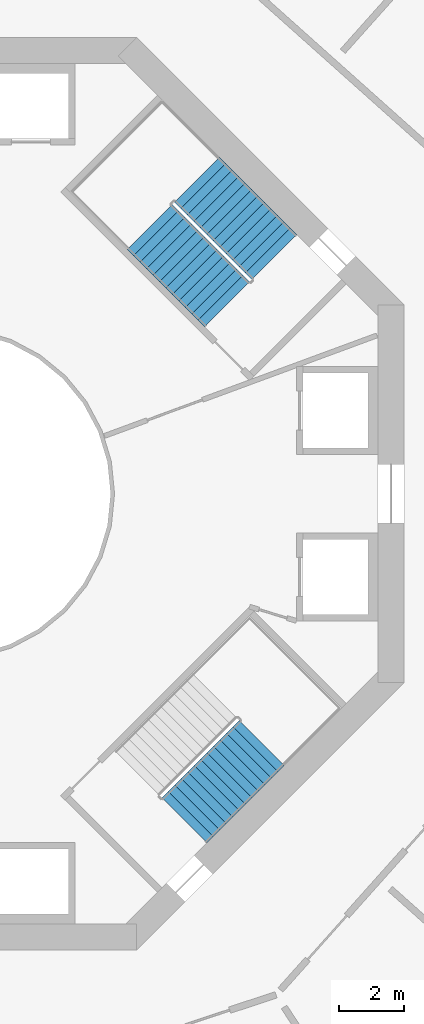
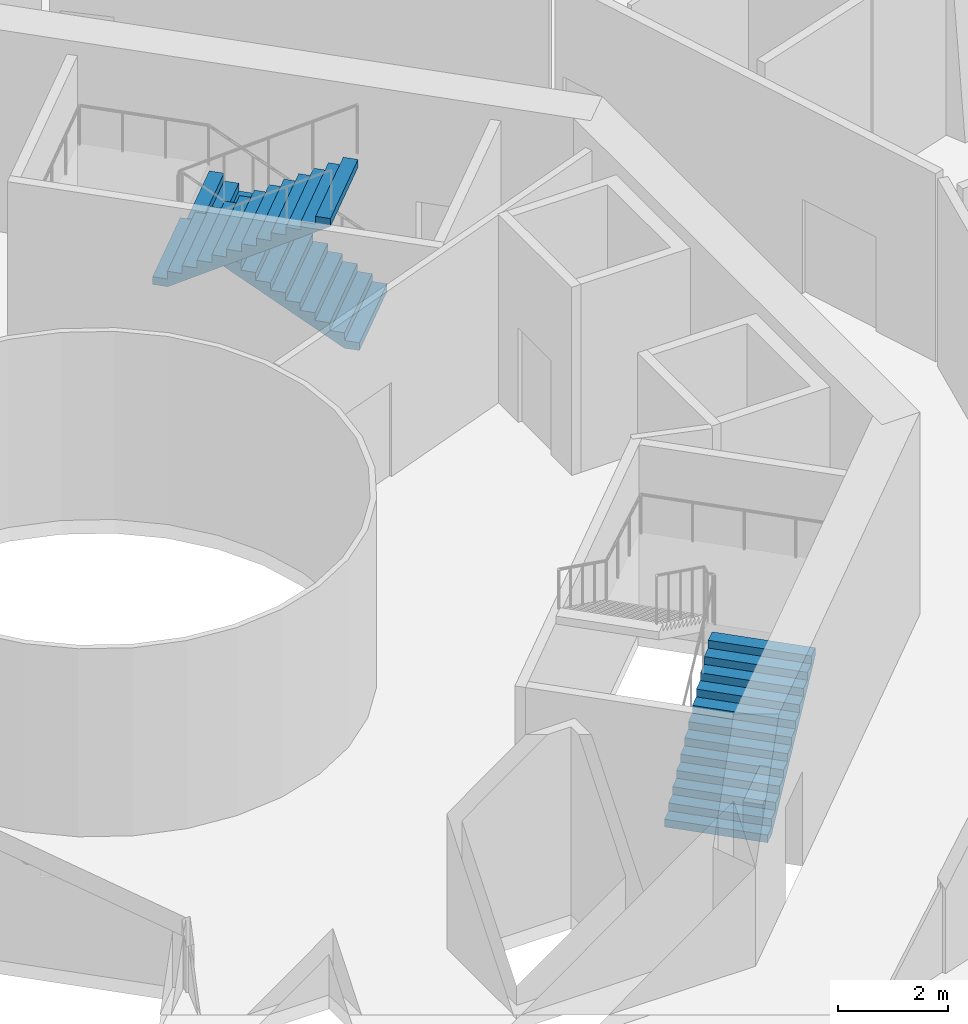
# One storey, part 20 of 21: 3 stair flights, 2 elements without a shape of their own.
"""IFC4 building model written with IfcOpenShell, lengths in metres."""

from ifc_helpers import new_model, si_unit, direction, frame, origin, place, context, subcontext, project, spatial, triangles, material, type_object, element, aggregate, save


model = new_model("IFC4")

# Units and contexts
model_context = context("Model", 3, precision=1e-05, world=origin(), true_north=direction((0.0, 1.0)))
body_context = subcontext(model_context, "Body", "Model", "MODEL_VIEW")
ifc_project = project(units=[si_unit("LENGTHUNIT", "METRE"), si_unit("AREAUNIT", "SQUARE_METRE"), si_unit("VOLUMEUNIT", "CUBIC_METRE"), si_unit("PLANEANGLEUNIT", "RADIAN"), si_unit("MASSUNIT", "GRAM", prefix="KILO")], contexts=[model_context])

# Site, building, storey
site_placement = place(None, origin())
site = spatial("IfcSite", under=ifc_project, at=site_placement, CompositionType="ELEMENT")
building_placement = place(site_placement, origin())
building = spatial("IfcBuilding", under=site, at=building_placement, Name="Verdalira Terraces Hotel", CompositionType="ELEMENT")
storey_placement = place(building_placement, frame((0.0, 0.0, 107.0)))
storey = spatial("IfcBuildingStorey", under=building, at=storey_placement, Name="L25", CompositionType="ELEMENT", Elevation=107.0)

# Stair, stair flights
ifc_material_1 = material(Name="Concrete C40", Category="concrete")
stair_type = type_object("IfcStairType", Name="Core stair 26 risers 1950 mm wide", PredefinedType="HALF_TURN_STAIR", material=ifc_material_1)
stair_1_placement = place(storey_placement, origin())
stair_1 = element("IfcStair", 1, at=stair_1_placement, inside=storey, type_object=stair_type, Name="L25 Exit stair ST1", PredefinedType="HALF_TURN_STAIR")
ifc_material_2 = material(Name="Concrete C40", Category="concrete")
stair_flight_type = type_object("IfcStairFlightType", Name="Core stair flight 26 risers 1950 mm wide", PredefinedType="STRAIGHT", material=ifc_material_2)
stair_flight_1_placement = place(storey_placement, frame((10.023193, 7.265625, 0.0), z_axis=(0.0, 0.0, 1.0), x_axis=(-0.707106781, 0.707106781, 0.0)))
stair_flight_1 = element("IfcStairFlight", 2, at=stair_flight_1_placement, type_object=stair_flight_type, Name="ST1 flight 1", NumberOfRisers=13, NumberOfTreads=12, PredefinedType="STRAIGHT", RiserHeight=0.173076923, TreadLength=0.28, context=body_context, shape_type="Tessellation", body=[
    triangles([(0.0, 0.974976, 0.0), (0.285156, 0.974976, 0.0), (3.360107, 0.974976, 1.900635), (0.0, -0.974976, 0.0), (0.285156, -0.974976, 0.0), (3.360107, -0.974976, 1.900635), (3.360107, 0.974976, 2.076904), (3.080078, 0.974976, 2.076904), (3.360107, -0.974976, 2.076904), (3.080078, -0.974976, 2.076904), (3.080078, 0.974976, 1.903809), (3.080078, -0.974976, 1.903809), (2.800049, 0.974976, 1.903809), (2.800049, -0.974976, 1.903809), (2.800049, 0.974976, 1.730713), (2.800049, -0.974976, 1.730713), (2.52002, 0.974976, 1.730713), (2.52002, 0.974976, 1.557617), (2.52002, -0.974976, 1.730713), (2.52002, -0.974976, 1.557617), (2.23999, 0.974976, 1.557617), (2.23999, 0.974976, 1.384521), (2.23999, -0.974976, 1.557617), (2.23999, -0.974976, 1.384521), (1.959961, 0.974976, 1.384521), (1.959961, 0.974976, 1.211426), (1.959961, -0.974976, 1.384521), (1.959961, -0.974976, 1.211426), (1.679932, 0.974976, 1.211426), (1.679932, 0.974976, 1.038574), (1.679932, -0.974976, 1.211426), (1.679932, -0.974976, 1.038574), (1.399902, 0.974976, 1.038574), (1.399902, 0.974976, 0.865479), (1.399902, -0.974976, 1.038574), (1.399902, -0.974976, 0.865479), (1.120117, 0.974976, 0.865479), (1.120117, 0.974976, 0.692383), (1.120117, -0.974976, 0.865479), (1.120117, -0.974976, 0.692383), (0.840088, 0.974976, 0.692383), (0.840088, 0.974976, 0.519287), (0.840088, -0.974976, 0.692383), (0.840088, -0.974976, 0.519287), (0.560059, 0.974976, 0.519287), (0.560059, 0.974976, 0.346191), (0.560059, -0.974976, 0.519287), (0.560059, -0.974976, 0.346191), (0.280029, 0.974976, 0.346191), (0.280029, 0.974976, 0.173096), (0.280029, -0.974976, 0.346191), (0.280029, -0.974976, 0.173096), (0.0, 0.974976, 0.173096), (0.0, -0.974976, 0.173096), (0.0, -0.91404, 0.0), (0.0, -0.91404, 0.173096), (0.0, -0.853104, 0.0), (0.0, -0.853104, 0.173096), (0.0, -0.792168, 0.0), (0.0, -0.792168, 0.173096), (0.0, -0.731232, 0.0), (0.0, -0.731232, 0.173096), (0.0, -0.670296, 0.0), (0.0, -0.670296, 0.173096), (0.0, -0.60936, 0.0), (0.0, -0.60936, 0.173096), (0.0, -0.548424, 0.0), (0.0, -0.548424, 0.173096), (0.0, -0.487488, 0.0), (0.0, -0.487488, 0.173096), (0.0, -0.426552, 0.0), (0.0, -0.426552, 0.173096), (0.0, -0.365616, 0.0), (0.0, -0.365616, 0.173096), (0.0, -0.30468, 0.0), (0.0, -0.30468, 0.173096), (0.0, -0.243744, 0.0), (0.0, -0.243744, 0.173096), (0.0, -0.182808, 0.0), (0.0, -0.182808, 0.173096), (0.0, -0.121872, 0.0), (0.0, -0.121872, 0.173096), (0.0, -0.060936, 0.0), (0.0, -0.060936, 0.173096), (0.0, 0.0, 0.0), (0.0, 0.0, 0.173096), (0.0, 0.060936, 0.0), (0.0, 0.060936, 0.173096), (0.0, 0.121872, 0.0), (0.0, 0.121872, 0.173096), (0.0, 0.182808, 0.0), (0.0, 0.182808, 0.173096), (0.0, 0.243744, 0.0), (0.0, 0.243744, 0.173096), (0.0, 0.30468, 0.0), (0.0, 0.30468, 0.173096), (0.0, 0.365616, 0.0), (0.0, 0.365616, 0.173096), (0.0, 0.426552, 0.0), (0.0, 0.426552, 0.173096), (0.0, 0.487488, 0.0), (0.0, 0.487488, 0.173096), (0.0, 0.548424, 0.0), (0.0, 0.548424, 0.173096), (0.0, 0.60936, 0.0), (0.0, 0.60936, 0.173096), (0.0, 0.670296, 0.0), (0.0, 0.670296, 0.173096), (0.0, 0.731232, 0.0), (0.0, 0.731232, 0.173096), (0.0, 0.792168, 0.0), (0.0, 0.792168, 0.173096), (0.0, 0.853104, 0.0), (0.0, 0.853104, 0.173096), (0.0, 0.91404, 0.0), (0.0, 0.91404, 0.173096), (3.360107, -0.91404, 2.076904), (3.360107, -0.853104, 2.076904), (3.360107, -0.792168, 2.076904), (3.360107, -0.731232, 2.076904), (3.360107, -0.670296, 2.076904), (3.360107, -0.60936, 2.076904), (3.360107, -0.548424, 2.076904), (3.360107, -0.487488, 2.076904), (3.360107, -0.426552, 2.076904), (3.360107, -0.365616, 2.076904), (3.360107, -0.30468, 2.076904), (3.360107, -0.243744, 2.076904), (3.360107, -0.182808, 2.076904), (3.360107, -0.121872, 2.076904), (3.360107, -0.060936, 2.076904), (3.360107, 0.0, 2.076904), (3.360107, 0.060936, 2.076904), (3.360107, 0.121872, 2.076904), (3.360107, 0.182808, 2.076904), (3.360107, 0.243744, 2.076904), (3.360107, 0.30468, 2.076904), (3.360107, 0.365616, 2.076904), (3.360107, 0.426552, 2.076904), (3.360107, 0.487488, 2.076904), (3.360107, 0.548424, 2.076904), (3.360107, 0.60936, 2.076904), (3.360107, 0.670296, 2.076904), (3.360107, 0.731232, 2.076904), (3.360107, 0.792168, 2.076904), (3.360107, 0.853104, 2.076904), (3.360107, 0.91404, 2.076904), (3.360107, -0.91404, 1.900635), (3.360107, -0.853104, 1.900635), (3.360107, -0.792168, 1.900635), (3.360107, -0.731232, 1.900635), (3.360107, -0.670296, 1.900635), (3.360107, -0.60936, 1.900635), (3.360107, -0.548424, 1.900635), (3.360107, -0.487488, 1.900635), (3.360107, -0.426552, 1.900635), (3.360107, -0.365616, 1.900635), (3.360107, -0.30468, 1.900635), (3.360107, -0.243744, 1.900635), (3.360107, -0.182808, 1.900635), (3.360107, -0.121872, 1.900635), (3.360107, -0.060936, 1.900635), (3.360107, 0.0, 1.900635), (3.360107, 0.060936, 1.900635), (3.360107, 0.121872, 1.900635), (3.360107, 0.182808, 1.900635), (3.360107, 0.243744, 1.900635), (3.360107, 0.30468, 1.900635), (3.360107, 0.365616, 1.900635), (3.360107, 0.426552, 1.900635), (3.360107, 0.487488, 1.900635), (3.360107, 0.548424, 1.900635), (3.360107, 0.60936, 1.900635), (3.360107, 0.670296, 1.900635), (3.360107, 0.731232, 1.900635), (3.360107, 0.792168, 1.900635), (3.360107, 0.853104, 1.900635), (3.360107, 0.91404, 1.900635)], [[1, 3, 2], [4, 5, 6], [3, 8, 7], [6, 9, 10], [3, 11, 8], [6, 10, 12], [3, 13, 11], [6, 12, 14], [3, 15, 13], [6, 14, 16], [15, 18, 17], [16, 19, 20], [3, 18, 15], [6, 16, 20], [18, 22, 21], [20, 23, 24], [3, 22, 18], [6, 20, 24], [22, 26, 25], [24, 27, 28], [3, 26, 22], [6, 24, 28], [1, 26, 3], [4, 6, 28], [26, 30, 29], [28, 31, 32], [30, 34, 33], [32, 35, 36], [26, 34, 30], [28, 32, 36], [34, 38, 37], [36, 39, 40], [26, 38, 34], [28, 36, 40], [38, 42, 41], [40, 43, 44], [26, 42, 38], [28, 40, 44], [42, 46, 45], [44, 47, 48], [26, 46, 42], [28, 44, 48], [46, 50, 49], [48, 51, 52], [26, 50, 46], [28, 48, 52], [1, 50, 26], [4, 28, 52], [50, 1, 53], [52, 54, 4], [4, 56, 55], [4, 54, 56], [55, 58, 57], [55, 56, 58], [57, 60, 59], [57, 58, 60], [59, 62, 61], [59, 60, 62], [61, 64, 63], [61, 62, 64], [63, 66, 65], [63, 64, 66], [65, 68, 67], [65, 66, 68], [67, 70, 69], [67, 68, 70], [69, 72, 71], [69, 70, 72], [71, 74, 73], [71, 72, 74], [73, 76, 75], [73, 74, 76], [75, 78, 77], [75, 76, 78], [77, 80, 79], [77, 78, 80], [79, 82, 81], [79, 80, 82], [81, 84, 83], [81, 82, 84], [83, 86, 85], [83, 84, 86], [85, 88, 87], [85, 86, 88], [87, 90, 89], [87, 88, 90], [89, 92, 91], [89, 90, 92], [91, 94, 93], [91, 92, 94], [93, 96, 95], [93, 94, 96], [95, 98, 97], [95, 96, 98], [97, 100, 99], [97, 98, 100], [99, 102, 101], [99, 100, 102], [101, 104, 103], [101, 102, 104], [103, 106, 105], [103, 104, 106], [105, 108, 107], [105, 106, 108], [107, 110, 109], [107, 108, 110], [109, 112, 111], [109, 110, 112], [111, 114, 113], [111, 112, 114], [113, 116, 115], [113, 114, 116], [115, 53, 1], [115, 116, 53], [54, 52, 56], [56, 52, 58], [58, 52, 60], [60, 52, 62], [62, 52, 64], [64, 52, 66], [66, 52, 68], [68, 52, 70], [70, 52, 72], [72, 52, 74], [74, 52, 76], [76, 52, 78], [78, 52, 80], [80, 52, 82], [82, 52, 84], [84, 52, 86], [86, 52, 88], [88, 52, 90], [90, 52, 92], [92, 52, 94], [94, 52, 96], [96, 52, 98], [98, 52, 100], [100, 52, 102], [102, 52, 104], [104, 52, 106], [106, 52, 108], [108, 52, 110], [110, 52, 112], [112, 52, 114], [114, 52, 116], [116, 52, 53], [53, 52, 50], [52, 49, 50], [52, 51, 49], [51, 46, 49], [51, 48, 46], [48, 45, 46], [48, 47, 45], [47, 42, 45], [47, 44, 42], [44, 41, 42], [44, 43, 41], [43, 38, 41], [43, 40, 38], [40, 37, 38], [40, 39, 37], [39, 34, 37], [39, 36, 34], [36, 33, 34], [36, 35, 33], [35, 30, 33], [35, 32, 30], [32, 29, 30], [32, 31, 29], [31, 26, 29], [31, 28, 26], [28, 25, 26], [28, 27, 25], [27, 22, 25], [27, 24, 22], [24, 21, 22], [24, 23, 21], [23, 18, 21], [23, 20, 18], [20, 17, 18], [20, 19, 17], [19, 15, 17], [19, 16, 15], [16, 13, 15], [16, 14, 13], [14, 11, 13], [14, 12, 11], [12, 8, 11], [12, 10, 8], [9, 117, 10], [117, 118, 10], [118, 119, 10], [119, 120, 10], [120, 121, 10], [121, 122, 10], [122, 123, 10], [123, 124, 10], [124, 125, 10], [125, 126, 10], [126, 127, 10], [127, 128, 10], [128, 129, 10], [129, 130, 10], [130, 131, 10], [131, 132, 10], [132, 133, 10], [133, 134, 10], [134, 135, 10], [135, 136, 10], [136, 137, 10], [137, 138, 10], [138, 139, 10], [139, 140, 10], [140, 141, 10], [141, 142, 10], [142, 143, 10], [143, 144, 10], [144, 145, 10], [145, 146, 10], [146, 147, 10], [147, 7, 10], [7, 8, 10], [9, 148, 117], [9, 6, 148], [117, 149, 118], [117, 148, 149], [118, 150, 119], [118, 149, 150], [119, 151, 120], [119, 150, 151], [120, 152, 121], [120, 151, 152], [121, 153, 122], [121, 152, 153], [122, 154, 123], [122, 153, 154], [123, 155, 124], [123, 154, 155], [124, 156, 125], [124, 155, 156], [125, 157, 126], [125, 156, 157], [126, 158, 127], [126, 157, 158], [127, 159, 128], [127, 158, 159], [128, 160, 129], [128, 159, 160], [129, 161, 130], [129, 160, 161], [130, 162, 131], [130, 161, 162], [131, 163, 132], [131, 162, 163], [132, 164, 133], [132, 163, 164], [133, 165, 134], [133, 164, 165], [134, 166, 135], [134, 165, 166], [135, 167, 136], [135, 166, 167], [136, 168, 137], [136, 167, 168], [137, 169, 138], [137, 168, 169], [138, 170, 139], [138, 169, 170], [139, 171, 140], [139, 170, 171], [140, 172, 141], [140, 171, 172], [141, 173, 142], [141, 172, 173], [142, 174, 143], [142, 173, 174], [143, 175, 144], [143, 174, 175], [144, 176, 145], [144, 175, 176], [145, 177, 146], [145, 176, 177], [146, 178, 147], [146, 177, 178], [147, 3, 7], [147, 178, 3], [6, 5, 148], [148, 5, 149], [149, 5, 150], [150, 5, 151], [151, 5, 152], [152, 5, 153], [153, 5, 154], [154, 5, 155], [155, 5, 156], [156, 5, 157], [157, 5, 158], [158, 5, 159], [159, 5, 160], [160, 5, 161], [161, 5, 162], [162, 5, 163], [163, 5, 164], [164, 5, 165], [165, 5, 166], [166, 5, 167], [167, 5, 168], [168, 5, 169], [169, 5, 170], [170, 5, 171], [171, 5, 172], [172, 5, 173], [173, 5, 174], [174, 5, 175], [175, 5, 176], [176, 5, 177], [177, 5, 178], [178, 5, 3], [3, 5, 2], [4, 55, 5], [55, 57, 5], [57, 59, 5], [59, 61, 5], [61, 63, 5], [63, 65, 5], [65, 67, 5], [67, 69, 5], [69, 71, 5], [71, 73, 5], [73, 75, 5], [75, 77, 5], [77, 79, 5], [79, 81, 5], [81, 83, 5], [83, 85, 5], [85, 87, 5], [87, 89, 5], [89, 91, 5], [91, 93, 5], [93, 95, 5], [95, 97, 5], [97, 99, 5], [99, 101, 5], [101, 103, 5], [103, 105, 5], [105, 107, 5], [107, 109, 5], [109, 111, 5], [111, 113, 5], [113, 115, 5], [115, 1, 5], [1, 2, 5]], closed=True),
])
stair_flight_2_placement = place(storey_placement, frame((6.197754, 8.191895, 2.25), z_axis=(0.0, 0.0, 1.0), x_axis=(0.707106781, -0.707106781, 0.0)))
stair_flight_2 = element("IfcStairFlight", 3, at=stair_flight_2_placement, type_object=stair_flight_type, Name="ST1 flight 2", NumberOfRisers=13, NumberOfTreads=12, PredefinedType="STRAIGHT", RiserHeight=0.173076923, TreadLength=0.28, context=body_context, shape_type="Tessellation", body=[
    triangles([(0.0, 0.974976, 0.0), (0.285156, 0.974976, 0.0), (3.360107, 0.974976, 1.900635), (0.0, -0.974976, 0.0), (0.285156, -0.974976, 0.0), (3.360107, -0.974976, 1.900635), (3.360107, 0.974976, 2.076904), (3.080078, 0.974976, 2.076904), (3.360107, -0.974976, 2.076904), (3.080078, -0.974976, 2.076904), (3.080078, 0.974976, 1.903809), (3.080078, -0.974976, 1.903809), (2.800049, 0.974976, 1.903809), (2.800049, -0.974976, 1.903809), (2.800049, 0.974976, 1.730713), (2.800049, -0.974976, 1.730713), (2.52002, 0.974976, 1.730713), (2.52002, 0.974976, 1.557617), (2.52002, -0.974976, 1.730713), (2.52002, -0.974976, 1.557617), (2.23999, 0.974976, 1.557617), (2.23999, 0.974976, 1.384521), (2.23999, -0.974976, 1.557617), (2.23999, -0.974976, 1.384521), (1.959961, 0.974976, 1.384521), (1.959961, 0.974976, 1.211426), (1.959961, -0.974976, 1.384521), (1.959961, -0.974976, 1.211426), (1.679932, 0.974976, 1.211426), (1.679932, 0.974976, 1.038574), (1.679932, -0.974976, 1.211426), (1.679932, -0.974976, 1.038574), (1.399902, 0.974976, 1.038574), (1.399902, 0.974976, 0.865479), (1.399902, -0.974976, 1.038574), (1.399902, -0.974976, 0.865479), (1.120117, 0.974976, 0.865479), (1.120117, 0.974976, 0.692383), (1.120117, -0.974976, 0.865479), (1.120117, -0.974976, 0.692383), (0.840088, 0.974976, 0.692383), (0.840088, 0.974976, 0.519287), (0.840088, -0.974976, 0.692383), (0.840088, -0.974976, 0.519287), (0.560059, 0.974976, 0.519287), (0.560059, 0.974976, 0.346191), (0.560059, -0.974976, 0.519287), (0.560059, -0.974976, 0.346191), (0.280029, 0.974976, 0.346191), (0.280029, 0.974976, 0.173096), (0.280029, -0.974976, 0.346191), (0.280029, -0.974976, 0.173096), (0.0, 0.974976, 0.173096), (0.0, -0.974976, 0.173096), (0.0, -0.91404, 0.0), (0.0, -0.91404, 0.173096), (0.0, -0.853104, 0.0), (0.0, -0.853104, 0.173096), (0.0, -0.792168, 0.0), (0.0, -0.792168, 0.173096), (0.0, -0.731232, 0.0), (0.0, -0.731232, 0.173096), (0.0, -0.670296, 0.0), (0.0, -0.670296, 0.173096), (0.0, -0.60936, 0.0), (0.0, -0.60936, 0.173096), (0.0, -0.548424, 0.0), (0.0, -0.548424, 0.173096), (0.0, -0.487488, 0.0), (0.0, -0.487488, 0.173096), (0.0, -0.426552, 0.0), (0.0, -0.426552, 0.173096), (0.0, -0.365616, 0.0), (0.0, -0.365616, 0.173096), (0.0, -0.30468, 0.0), (0.0, -0.30468, 0.173096), (0.0, -0.243744, 0.0), (0.0, -0.243744, 0.173096), (0.0, -0.182808, 0.0), (0.0, -0.182808, 0.173096), (0.0, -0.121872, 0.0), (0.0, -0.121872, 0.173096), (0.0, -0.060936, 0.0), (0.0, -0.060936, 0.173096), (0.0, 0.0, 0.0), (0.0, 0.0, 0.173096), (0.0, 0.060936, 0.0), (0.0, 0.060936, 0.173096), (0.0, 0.121872, 0.0), (0.0, 0.121872, 0.173096), (0.0, 0.182808, 0.0), (0.0, 0.182808, 0.173096), (0.0, 0.243744, 0.0), (0.0, 0.243744, 0.173096), (0.0, 0.30468, 0.0), (0.0, 0.30468, 0.173096), (0.0, 0.365616, 0.0), (0.0, 0.365616, 0.173096), (0.0, 0.426552, 0.0), (0.0, 0.426552, 0.173096), (0.0, 0.487488, 0.0), (0.0, 0.487488, 0.173096), (0.0, 0.548424, 0.0), (0.0, 0.548424, 0.173096), (0.0, 0.60936, 0.0), (0.0, 0.60936, 0.173096), (0.0, 0.670296, 0.0), (0.0, 0.670296, 0.173096), (0.0, 0.731232, 0.0), (0.0, 0.731232, 0.173096), (0.0, 0.792168, 0.0), (0.0, 0.792168, 0.173096), (0.0, 0.853104, 0.0), (0.0, 0.853104, 0.173096), (0.0, 0.91404, 0.0), (0.0, 0.91404, 0.173096), (3.360107, -0.91404, 2.076904), (3.360107, -0.853104, 2.076904), (3.360107, -0.792168, 2.076904), (3.360107, -0.731232, 2.076904), (3.360107, -0.670296, 2.076904), (3.360107, -0.60936, 2.076904), (3.360107, -0.548424, 2.076904), (3.360107, -0.487488, 2.076904), (3.360107, -0.426552, 2.076904), (3.360107, -0.365616, 2.076904), (3.360107, -0.30468, 2.076904), (3.360107, -0.243744, 2.076904), (3.360107, -0.182808, 2.076904), (3.360107, -0.121872, 2.076904), (3.360107, -0.060936, 2.076904), (3.360107, 0.0, 2.076904), (3.360107, 0.060936, 2.076904), (3.360107, 0.121872, 2.076904), (3.360107, 0.182808, 2.076904), (3.360107, 0.243744, 2.076904), (3.360107, 0.30468, 2.076904), (3.360107, 0.365616, 2.076904), (3.360107, 0.426552, 2.076904), (3.360107, 0.487488, 2.076904), (3.360107, 0.548424, 2.076904), (3.360107, 0.60936, 2.076904), (3.360107, 0.670296, 2.076904), (3.360107, 0.731232, 2.076904), (3.360107, 0.792168, 2.076904), (3.360107, 0.853104, 2.076904), (3.360107, 0.91404, 2.076904), (3.360107, -0.91404, 1.900635), (3.360107, -0.853104, 1.900635), (3.360107, -0.792168, 1.900635), (3.360107, -0.731232, 1.900635), (3.360107, -0.670296, 1.900635), (3.360107, -0.60936, 1.900635), (3.360107, -0.548424, 1.900635), (3.360107, -0.487488, 1.900635), (3.360107, -0.426552, 1.900635), (3.360107, -0.365616, 1.900635), (3.360107, -0.30468, 1.900635), (3.360107, -0.243744, 1.900635), (3.360107, -0.182808, 1.900635), (3.360107, -0.121872, 1.900635), (3.360107, -0.060936, 1.900635), (3.360107, 0.0, 1.900635), (3.360107, 0.060936, 1.900635), (3.360107, 0.121872, 1.900635), (3.360107, 0.182808, 1.900635), (3.360107, 0.243744, 1.900635), (3.360107, 0.30468, 1.900635), (3.360107, 0.365616, 1.900635), (3.360107, 0.426552, 1.900635), (3.360107, 0.487488, 1.900635), (3.360107, 0.548424, 1.900635), (3.360107, 0.60936, 1.900635), (3.360107, 0.670296, 1.900635), (3.360107, 0.731232, 1.900635), (3.360107, 0.792168, 1.900635), (3.360107, 0.853104, 1.900635), (3.360107, 0.91404, 1.900635)], [[1, 3, 2], [4, 5, 6], [3, 8, 7], [6, 9, 10], [3, 11, 8], [6, 10, 12], [3, 13, 11], [6, 12, 14], [3, 15, 13], [6, 14, 16], [15, 18, 17], [16, 19, 20], [3, 18, 15], [6, 16, 20], [18, 22, 21], [20, 23, 24], [3, 22, 18], [6, 20, 24], [22, 26, 25], [24, 27, 28], [3, 26, 22], [6, 24, 28], [1, 26, 3], [4, 6, 28], [26, 30, 29], [28, 31, 32], [30, 34, 33], [32, 35, 36], [26, 34, 30], [28, 32, 36], [34, 38, 37], [36, 39, 40], [26, 38, 34], [28, 36, 40], [38, 42, 41], [40, 43, 44], [26, 42, 38], [28, 40, 44], [42, 46, 45], [44, 47, 48], [26, 46, 42], [28, 44, 48], [46, 50, 49], [48, 51, 52], [26, 50, 46], [28, 48, 52], [1, 50, 26], [4, 28, 52], [50, 1, 53], [52, 54, 4], [4, 56, 55], [4, 54, 56], [55, 58, 57], [55, 56, 58], [57, 60, 59], [57, 58, 60], [59, 62, 61], [59, 60, 62], [61, 64, 63], [61, 62, 64], [63, 66, 65], [63, 64, 66], [65, 68, 67], [65, 66, 68], [67, 70, 69], [67, 68, 70], [69, 72, 71], [69, 70, 72], [71, 74, 73], [71, 72, 74], [73, 76, 75], [73, 74, 76], [75, 78, 77], [75, 76, 78], [77, 80, 79], [77, 78, 80], [79, 82, 81], [79, 80, 82], [81, 84, 83], [81, 82, 84], [83, 86, 85], [83, 84, 86], [85, 88, 87], [85, 86, 88], [87, 90, 89], [87, 88, 90], [89, 92, 91], [89, 90, 92], [91, 94, 93], [91, 92, 94], [93, 96, 95], [93, 94, 96], [95, 98, 97], [95, 96, 98], [97, 100, 99], [97, 98, 100], [99, 102, 101], [99, 100, 102], [101, 104, 103], [101, 102, 104], [103, 106, 105], [103, 104, 106], [105, 108, 107], [105, 106, 108], [107, 110, 109], [107, 108, 110], [109, 112, 111], [109, 110, 112], [111, 114, 113], [111, 112, 114], [113, 116, 115], [113, 114, 116], [115, 53, 1], [115, 116, 53], [54, 52, 56], [56, 52, 58], [58, 52, 60], [60, 52, 62], [62, 52, 64], [64, 52, 66], [66, 52, 68], [68, 52, 70], [70, 52, 72], [72, 52, 74], [74, 52, 76], [76, 52, 78], [78, 52, 80], [80, 52, 82], [82, 52, 84], [84, 52, 86], [86, 52, 88], [88, 52, 90], [90, 52, 92], [92, 52, 94], [94, 52, 96], [96, 52, 98], [98, 52, 100], [100, 52, 102], [102, 52, 104], [104, 52, 106], [106, 52, 108], [108, 52, 110], [110, 52, 112], [112, 52, 114], [114, 52, 116], [116, 52, 53], [53, 52, 50], [52, 49, 50], [52, 51, 49], [51, 46, 49], [51, 48, 46], [48, 45, 46], [48, 47, 45], [47, 42, 45], [47, 44, 42], [44, 41, 42], [44, 43, 41], [43, 38, 41], [43, 40, 38], [40, 37, 38], [40, 39, 37], [39, 34, 37], [39, 36, 34], [36, 33, 34], [36, 35, 33], [35, 30, 33], [35, 32, 30], [32, 29, 30], [32, 31, 29], [31, 26, 29], [31, 28, 26], [28, 25, 26], [28, 27, 25], [27, 22, 25], [27, 24, 22], [24, 21, 22], [24, 23, 21], [23, 18, 21], [23, 20, 18], [20, 17, 18], [20, 19, 17], [19, 15, 17], [19, 16, 15], [16, 13, 15], [16, 14, 13], [14, 11, 13], [14, 12, 11], [12, 8, 11], [12, 10, 8], [9, 117, 10], [117, 118, 10], [118, 119, 10], [119, 120, 10], [120, 121, 10], [121, 122, 10], [122, 123, 10], [123, 124, 10], [124, 125, 10], [125, 126, 10], [126, 127, 10], [127, 128, 10], [128, 129, 10], [129, 130, 10], [130, 131, 10], [131, 132, 10], [132, 133, 10], [133, 134, 10], [134, 135, 10], [135, 136, 10], [136, 137, 10], [137, 138, 10], [138, 139, 10], [139, 140, 10], [140, 141, 10], [141, 142, 10], [142, 143, 10], [143, 144, 10], [144, 145, 10], [145, 146, 10], [146, 147, 10], [147, 7, 10], [7, 8, 10], [9, 148, 117], [9, 6, 148], [117, 149, 118], [117, 148, 149], [118, 150, 119], [118, 149, 150], [119, 151, 120], [119, 150, 151], [120, 152, 121], [120, 151, 152], [121, 153, 122], [121, 152, 153], [122, 154, 123], [122, 153, 154], [123, 155, 124], [123, 154, 155], [124, 156, 125], [124, 155, 156], [125, 157, 126], [125, 156, 157], [126, 158, 127], [126, 157, 158], [127, 159, 128], [127, 158, 159], [128, 160, 129], [128, 159, 160], [129, 161, 130], [129, 160, 161], [130, 162, 131], [130, 161, 162], [131, 163, 132], [131, 162, 163], [132, 164, 133], [132, 163, 164], [133, 165, 134], [133, 164, 165], [134, 166, 135], [134, 165, 166], [135, 167, 136], [135, 166, 167], [136, 168, 137], [136, 167, 168], [137, 169, 138], [137, 168, 169], [138, 170, 139], [138, 169, 170], [139, 171, 140], [139, 170, 171], [140, 172, 141], [140, 171, 172], [141, 173, 142], [141, 172, 173], [142, 174, 143], [142, 173, 174], [143, 175, 144], [143, 174, 175], [144, 176, 145], [144, 175, 176], [145, 177, 146], [145, 176, 177], [146, 178, 147], [146, 177, 178], [147, 3, 7], [147, 178, 3], [6, 5, 148], [148, 5, 149], [149, 5, 150], [150, 5, 151], [151, 5, 152], [152, 5, 153], [153, 5, 154], [154, 5, 155], [155, 5, 156], [156, 5, 157], [157, 5, 158], [158, 5, 159], [159, 5, 160], [160, 5, 161], [161, 5, 162], [162, 5, 163], [163, 5, 164], [164, 5, 165], [165, 5, 166], [166, 5, 167], [167, 5, 168], [168, 5, 169], [169, 5, 170], [170, 5, 171], [171, 5, 172], [172, 5, 173], [173, 5, 174], [174, 5, 175], [175, 5, 176], [176, 5, 177], [177, 5, 178], [178, 5, 3], [3, 5, 2], [4, 55, 5], [55, 57, 5], [57, 59, 5], [59, 61, 5], [61, 63, 5], [63, 65, 5], [65, 67, 5], [67, 69, 5], [69, 71, 5], [71, 73, 5], [73, 75, 5], [75, 77, 5], [77, 79, 5], [79, 81, 5], [81, 83, 5], [83, 85, 5], [85, 87, 5], [87, 89, 5], [89, 91, 5], [91, 93, 5], [93, 95, 5], [95, 97, 5], [97, 99, 5], [99, 101, 5], [101, 103, 5], [103, 105, 5], [105, 107, 5], [107, 109, 5], [109, 111, 5], [111, 113, 5], [113, 115, 5], [115, 1, 5], [1, 2, 5]], closed=True),
])
aggregate(stair_1, [stair_flight_1, stair_flight_2])

# Stair, stair flight
stair_2_placement = place(storey_placement, origin())
stair_2 = element("IfcStair", 4, at=stair_2_placement, inside=storey, type_object=stair_type, Name="L25 Exit stair ST3", PredefinedType="HALF_TURN_STAIR")
stair_flight_3_placement = place(storey_placement, frame((7.265625, -10.023193, 0.0), z_axis=(0.0, 0.0, 1.0), x_axis=(0.707106781, 0.707106781, 0.0)))
stair_flight_3 = element("IfcStairFlight", 5, at=stair_flight_3_placement, type_object=stair_flight_type, Name="ST3 flight 1", NumberOfRisers=13, NumberOfTreads=12, PredefinedType="STRAIGHT", RiserHeight=0.173076923, TreadLength=0.28, context=body_context, shape_type="Tessellation", body=[
    triangles([(0.0, 0.974976, 0.0), (0.285156, 0.974976, 0.0), (3.360107, 0.974976, 1.900635), (0.0, -0.974976, 0.0), (0.285156, -0.974976, 0.0), (3.360107, -0.974976, 1.900635), (3.360107, 0.974976, 2.076904), (3.080078, 0.974976, 2.076904), (3.360107, -0.974976, 2.076904), (3.080078, -0.974976, 2.076904), (3.080078, 0.974976, 1.903809), (3.080078, -0.974976, 1.903809), (2.800049, 0.974976, 1.903809), (2.800049, -0.974976, 1.903809), (2.800049, 0.974976, 1.730713), (2.800049, -0.974976, 1.730713), (2.52002, 0.974976, 1.730713), (2.52002, 0.974976, 1.557617), (2.52002, -0.974976, 1.730713), (2.52002, -0.974976, 1.557617), (2.23999, 0.974976, 1.557617), (2.23999, 0.974976, 1.384521), (2.23999, -0.974976, 1.557617), (2.23999, -0.974976, 1.384521), (1.959961, 0.974976, 1.384521), (1.959961, 0.974976, 1.211426), (1.959961, -0.974976, 1.384521), (1.959961, -0.974976, 1.211426), (1.679932, 0.974976, 1.211426), (1.679932, 0.974976, 1.038574), (1.679932, -0.974976, 1.211426), (1.679932, -0.974976, 1.038574), (1.399902, 0.974976, 1.038574), (1.399902, 0.974976, 0.865479), (1.399902, -0.974976, 1.038574), (1.399902, -0.974976, 0.865479), (1.120117, 0.974976, 0.865479), (1.120117, 0.974976, 0.692383), (1.120117, -0.974976, 0.865479), (1.120117, -0.974976, 0.692383), (0.840088, 0.974976, 0.692383), (0.840088, 0.974976, 0.519287), (0.840088, -0.974976, 0.692383), (0.840088, -0.974976, 0.519287), (0.560059, 0.974976, 0.519287), (0.560059, 0.974976, 0.346191), (0.560059, -0.974976, 0.519287), (0.560059, -0.974976, 0.346191), (0.280029, 0.974976, 0.346191), (0.280029, 0.974976, 0.173096), (0.280029, -0.974976, 0.346191), (0.280029, -0.974976, 0.173096), (0.0, 0.974976, 0.173096), (0.0, -0.974976, 0.173096), (0.0, -0.91404, 0.0), (0.0, -0.91404, 0.173096), (0.0, -0.853104, 0.0), (0.0, -0.853104, 0.173096), (0.0, -0.792168, 0.0), (0.0, -0.792168, 0.173096), (0.0, -0.731232, 0.0), (0.0, -0.731232, 0.173096), (0.0, -0.670296, 0.0), (0.0, -0.670296, 0.173096), (0.0, -0.60936, 0.0), (0.0, -0.60936, 0.173096), (0.0, -0.548424, 0.0), (0.0, -0.548424, 0.173096), (0.0, -0.487488, 0.0), (0.0, -0.487488, 0.173096), (0.0, -0.426552, 0.0), (0.0, -0.426552, 0.173096), (0.0, -0.365616, 0.0), (0.0, -0.365616, 0.173096), (0.0, -0.30468, 0.0), (0.0, -0.30468, 0.173096), (0.0, -0.243744, 0.0), (0.0, -0.243744, 0.173096), (0.0, -0.182808, 0.0), (0.0, -0.182808, 0.173096), (0.0, -0.121872, 0.0), (0.0, -0.121872, 0.173096), (0.0, -0.060936, 0.0), (0.0, -0.060936, 0.173096), (0.0, 0.0, 0.0), (0.0, 0.0, 0.173096), (0.0, 0.060936, 0.0), (0.0, 0.060936, 0.173096), (0.0, 0.121872, 0.0), (0.0, 0.121872, 0.173096), (0.0, 0.182808, 0.0), (0.0, 0.182808, 0.173096), (0.0, 0.243744, 0.0), (0.0, 0.243744, 0.173096), (0.0, 0.30468, 0.0), (0.0, 0.30468, 0.173096), (0.0, 0.365616, 0.0), (0.0, 0.365616, 0.173096), (0.0, 0.426552, 0.0), (0.0, 0.426552, 0.173096), (0.0, 0.487488, 0.0), (0.0, 0.487488, 0.173096), (0.0, 0.548424, 0.0), (0.0, 0.548424, 0.173096), (0.0, 0.60936, 0.0), (0.0, 0.60936, 0.173096), (0.0, 0.670296, 0.0), (0.0, 0.670296, 0.173096), (0.0, 0.731232, 0.0), (0.0, 0.731232, 0.173096), (0.0, 0.792168, 0.0), (0.0, 0.792168, 0.173096), (0.0, 0.853104, 0.0), (0.0, 0.853104, 0.173096), (0.0, 0.91404, 0.0), (0.0, 0.91404, 0.173096), (3.360107, -0.91404, 2.076904), (3.360107, -0.853104, 2.076904), (3.360107, -0.792168, 2.076904), (3.360107, -0.731232, 2.076904), (3.360107, -0.670296, 2.076904), (3.360107, -0.60936, 2.076904), (3.360107, -0.548424, 2.076904), (3.360107, -0.487488, 2.076904), (3.360107, -0.426552, 2.076904), (3.360107, -0.365616, 2.076904), (3.360107, -0.30468, 2.076904), (3.360107, -0.243744, 2.076904), (3.360107, -0.182808, 2.076904), (3.360107, -0.121872, 2.076904), (3.360107, -0.060936, 2.076904), (3.360107, 0.0, 2.076904), (3.360107, 0.060936, 2.076904), (3.360107, 0.121872, 2.076904), (3.360107, 0.182808, 2.076904), (3.360107, 0.243744, 2.076904), (3.360107, 0.30468, 2.076904), (3.360107, 0.365616, 2.076904), (3.360107, 0.426552, 2.076904), (3.360107, 0.487488, 2.076904), (3.360107, 0.548424, 2.076904), (3.360107, 0.60936, 2.076904), (3.360107, 0.670296, 2.076904), (3.360107, 0.731232, 2.076904), (3.360107, 0.792168, 2.076904), (3.360107, 0.853104, 2.076904), (3.360107, 0.91404, 2.076904), (3.360107, -0.91404, 1.900635), (3.360107, -0.853104, 1.900635), (3.360107, -0.792168, 1.900635), (3.360107, -0.731232, 1.900635), (3.360107, -0.670296, 1.900635), (3.360107, -0.60936, 1.900635), (3.360107, -0.548424, 1.900635), (3.360107, -0.487488, 1.900635), (3.360107, -0.426552, 1.900635), (3.360107, -0.365616, 1.900635), (3.360107, -0.30468, 1.900635), (3.360107, -0.243744, 1.900635), (3.360107, -0.182808, 1.900635), (3.360107, -0.121872, 1.900635), (3.360107, -0.060936, 1.900635), (3.360107, 0.0, 1.900635), (3.360107, 0.060936, 1.900635), (3.360107, 0.121872, 1.900635), (3.360107, 0.182808, 1.900635), (3.360107, 0.243744, 1.900635), (3.360107, 0.30468, 1.900635), (3.360107, 0.365616, 1.900635), (3.360107, 0.426552, 1.900635), (3.360107, 0.487488, 1.900635), (3.360107, 0.548424, 1.900635), (3.360107, 0.60936, 1.900635), (3.360107, 0.670296, 1.900635), (3.360107, 0.731232, 1.900635), (3.360107, 0.792168, 1.900635), (3.360107, 0.853104, 1.900635), (3.360107, 0.91404, 1.900635)], [[1, 3, 2], [4, 5, 6], [3, 8, 7], [6, 9, 10], [3, 11, 8], [6, 10, 12], [3, 13, 11], [6, 12, 14], [3, 15, 13], [6, 14, 16], [15, 18, 17], [16, 19, 20], [3, 18, 15], [6, 16, 20], [18, 22, 21], [20, 23, 24], [3, 22, 18], [6, 20, 24], [22, 26, 25], [24, 27, 28], [3, 26, 22], [6, 24, 28], [1, 26, 3], [4, 6, 28], [26, 30, 29], [28, 31, 32], [30, 34, 33], [32, 35, 36], [26, 34, 30], [28, 32, 36], [34, 38, 37], [36, 39, 40], [26, 38, 34], [28, 36, 40], [38, 42, 41], [40, 43, 44], [26, 42, 38], [28, 40, 44], [42, 46, 45], [44, 47, 48], [26, 46, 42], [28, 44, 48], [46, 50, 49], [48, 51, 52], [26, 50, 46], [28, 48, 52], [1, 50, 26], [4, 28, 52], [50, 1, 53], [52, 54, 4], [4, 56, 55], [4, 54, 56], [55, 58, 57], [55, 56, 58], [57, 60, 59], [57, 58, 60], [59, 62, 61], [59, 60, 62], [61, 64, 63], [61, 62, 64], [63, 66, 65], [63, 64, 66], [65, 68, 67], [65, 66, 68], [67, 70, 69], [67, 68, 70], [69, 72, 71], [69, 70, 72], [71, 74, 73], [71, 72, 74], [73, 76, 75], [73, 74, 76], [75, 78, 77], [75, 76, 78], [77, 80, 79], [77, 78, 80], [79, 82, 81], [79, 80, 82], [81, 84, 83], [81, 82, 84], [83, 86, 85], [83, 84, 86], [85, 88, 87], [85, 86, 88], [87, 90, 89], [87, 88, 90], [89, 92, 91], [89, 90, 92], [91, 94, 93], [91, 92, 94], [93, 96, 95], [93, 94, 96], [95, 98, 97], [95, 96, 98], [97, 100, 99], [97, 98, 100], [99, 102, 101], [99, 100, 102], [101, 104, 103], [101, 102, 104], [103, 106, 105], [103, 104, 106], [105, 108, 107], [105, 106, 108], [107, 110, 109], [107, 108, 110], [109, 112, 111], [109, 110, 112], [111, 114, 113], [111, 112, 114], [113, 116, 115], [113, 114, 116], [115, 53, 1], [115, 116, 53], [54, 52, 56], [56, 52, 58], [58, 52, 60], [60, 52, 62], [62, 52, 64], [64, 52, 66], [66, 52, 68], [68, 52, 70], [70, 52, 72], [72, 52, 74], [74, 52, 76], [76, 52, 78], [78, 52, 80], [80, 52, 82], [82, 52, 84], [84, 52, 86], [86, 52, 88], [88, 52, 90], [90, 52, 92], [92, 52, 94], [94, 52, 96], [96, 52, 98], [98, 52, 100], [100, 52, 102], [102, 52, 104], [104, 52, 106], [106, 52, 108], [108, 52, 110], [110, 52, 112], [112, 52, 114], [114, 52, 116], [116, 52, 53], [53, 52, 50], [52, 49, 50], [52, 51, 49], [51, 46, 49], [51, 48, 46], [48, 45, 46], [48, 47, 45], [47, 42, 45], [47, 44, 42], [44, 41, 42], [44, 43, 41], [43, 38, 41], [43, 40, 38], [40, 37, 38], [40, 39, 37], [39, 34, 37], [39, 36, 34], [36, 33, 34], [36, 35, 33], [35, 30, 33], [35, 32, 30], [32, 29, 30], [32, 31, 29], [31, 26, 29], [31, 28, 26], [28, 25, 26], [28, 27, 25], [27, 22, 25], [27, 24, 22], [24, 21, 22], [24, 23, 21], [23, 18, 21], [23, 20, 18], [20, 17, 18], [20, 19, 17], [19, 15, 17], [19, 16, 15], [16, 13, 15], [16, 14, 13], [14, 11, 13], [14, 12, 11], [12, 8, 11], [12, 10, 8], [9, 117, 10], [117, 118, 10], [118, 119, 10], [119, 120, 10], [120, 121, 10], [121, 122, 10], [122, 123, 10], [123, 124, 10], [124, 125, 10], [125, 126, 10], [126, 127, 10], [127, 128, 10], [128, 129, 10], [129, 130, 10], [130, 131, 10], [131, 132, 10], [132, 133, 10], [133, 134, 10], [134, 135, 10], [135, 136, 10], [136, 137, 10], [137, 138, 10], [138, 139, 10], [139, 140, 10], [140, 141, 10], [141, 142, 10], [142, 143, 10], [143, 144, 10], [144, 145, 10], [145, 146, 10], [146, 147, 10], [147, 7, 10], [7, 8, 10], [9, 148, 117], [9, 6, 148], [117, 149, 118], [117, 148, 149], [118, 150, 119], [118, 149, 150], [119, 151, 120], [119, 150, 151], [120, 152, 121], [120, 151, 152], [121, 153, 122], [121, 152, 153], [122, 154, 123], [122, 153, 154], [123, 155, 124], [123, 154, 155], [124, 156, 125], [124, 155, 156], [125, 157, 126], [125, 156, 157], [126, 158, 127], [126, 157, 158], [127, 159, 128], [127, 158, 159], [128, 160, 129], [128, 159, 160], [129, 161, 130], [129, 160, 161], [130, 162, 131], [130, 161, 162], [131, 163, 132], [131, 162, 163], [132, 164, 133], [132, 163, 164], [133, 165, 134], [133, 164, 165], [134, 166, 135], [134, 165, 166], [135, 167, 136], [135, 166, 167], [136, 168, 137], [136, 167, 168], [137, 169, 138], [137, 168, 169], [138, 170, 139], [138, 169, 170], [139, 171, 140], [139, 170, 171], [140, 172, 141], [140, 171, 172], [141, 173, 142], [141, 172, 173], [142, 174, 143], [142, 173, 174], [143, 175, 144], [143, 174, 175], [144, 176, 145], [144, 175, 176], [145, 177, 146], [145, 176, 177], [146, 178, 147], [146, 177, 178], [147, 3, 7], [147, 178, 3], [6, 5, 148], [148, 5, 149], [149, 5, 150], [150, 5, 151], [151, 5, 152], [152, 5, 153], [153, 5, 154], [154, 5, 155], [155, 5, 156], [156, 5, 157], [157, 5, 158], [158, 5, 159], [159, 5, 160], [160, 5, 161], [161, 5, 162], [162, 5, 163], [163, 5, 164], [164, 5, 165], [165, 5, 166], [166, 5, 167], [167, 5, 168], [168, 5, 169], [169, 5, 170], [170, 5, 171], [171, 5, 172], [172, 5, 173], [173, 5, 174], [174, 5, 175], [175, 5, 176], [176, 5, 177], [177, 5, 178], [178, 5, 3], [3, 5, 2], [4, 55, 5], [55, 57, 5], [57, 59, 5], [59, 61, 5], [61, 63, 5], [63, 65, 5], [65, 67, 5], [67, 69, 5], [69, 71, 5], [71, 73, 5], [73, 75, 5], [75, 77, 5], [77, 79, 5], [79, 81, 5], [81, 83, 5], [83, 85, 5], [85, 87, 5], [87, 89, 5], [89, 91, 5], [91, 93, 5], [93, 95, 5], [95, 97, 5], [97, 99, 5], [99, 101, 5], [101, 103, 5], [103, 105, 5], [105, 107, 5], [107, 109, 5], [109, 111, 5], [111, 113, 5], [113, 115, 5], [115, 1, 5], [1, 2, 5]], closed=True),
])
aggregate(stair_2, [stair_flight_3])

save(model, "model.ifc")
